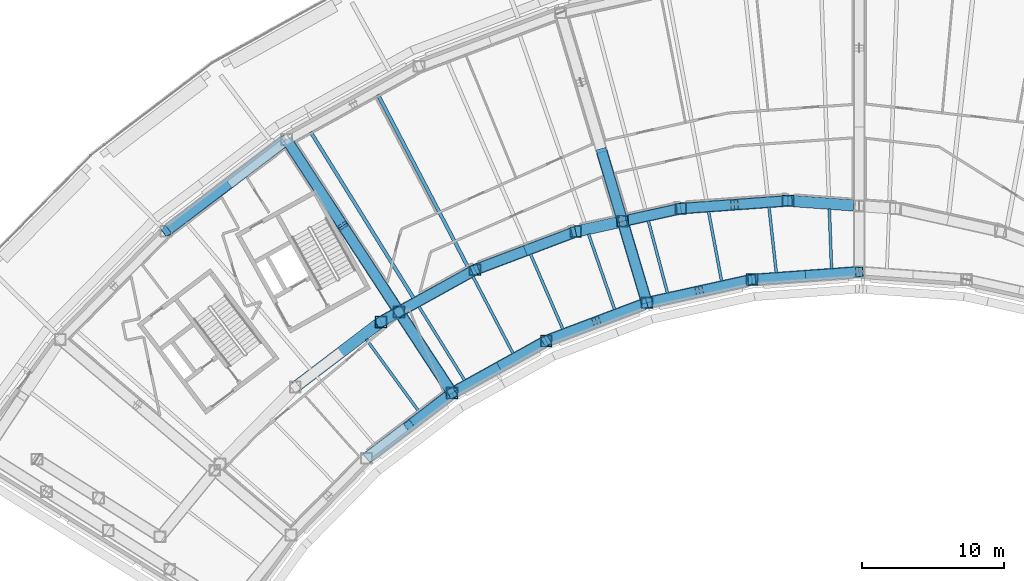
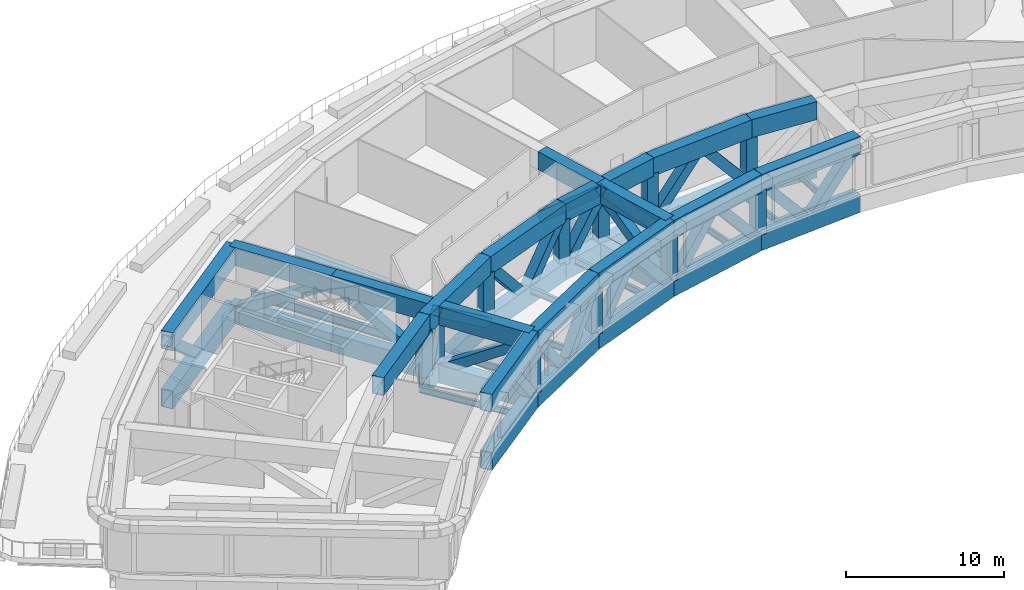
# One storey, part 2 of 24: 46 beams, 34 members.
"""IFC4 building model written with IfcOpenShell, lengths in metres."""

from ifc_helpers import new_model, si_unit, direction, frame, origin, origin_2d, place, context, subcontext, project, spatial, hollow_rectangle, i_section, extrude, material, material_profile, profile_set, type_object, element, save


model = new_model("IFC4")

# Units and contexts
model_context = context("Model", 3, precision=1e-05, world=origin(), true_north=direction((0.0, 1.0)))
body_context = subcontext(model_context, "Body", "Model", "MODEL_VIEW")
ifc_project = project(units=[si_unit("LENGTHUNIT", "METRE"), si_unit("AREAUNIT", "SQUARE_METRE"), si_unit("VOLUMEUNIT", "CUBIC_METRE"), si_unit("PLANEANGLEUNIT", "RADIAN"), si_unit("MASSUNIT", "GRAM", prefix="KILO")], contexts=[model_context])

# Site, building, storey
site_placement = place(None, origin())
site = spatial("IfcSite", under=ifc_project, at=site_placement, CompositionType="ELEMENT")
building_placement = place(site_placement, origin())
building = spatial("IfcBuilding", under=site, at=building_placement, Name="Tuul Gate Civic Tower", CompositionType="ELEMENT")
storey_placement = place(building_placement, frame((0.0, 0.0, 94.800048828125)))
storey = spatial("IfcBuildingStorey", under=building, at=storey_placement, Name="Plant and refuge floor 3", CompositionType="ELEMENT", Elevation=94.800048828125)

# Beams
ifc_material_1 = material(Name="Steel S355", Category="steel")
ifc_material_profile_1 = material_profile(ifc_material_1, i_section(OverallWidth=0.199951171875, OverallDepth=0.5, WebThickness=0.010009765625, FlangeThickness=0.01611328125, at=origin_2d()), Name="PG500x200x10x16")
ifc_profile_set_1 = profile_set([ifc_material_profile_1], Name="Steel S355")
beam_type_1 = type_object("IfcBeamType", Name="STR-FLOOR BEAM-PG500x200x10x16", PredefinedType="BEAM", material=ifc_profile_set_1)
beam_1_placement = place(storey_placement, frame((7.875732421875, -7.459716796875, -0.650146484375), z_axis=(-0.03697980305, 0.999316013164, 0.0), x_axis=(-0.999316013164, -0.03697980305, 0.0)))
element("IfcBeam", 1, at=beam_1_placement, inside=storey, type_object=beam_type_1, Name="Floor beam", PredefinedType="BEAM", context=body_context, shape_type="SweptSolid", body=[
    extrude(i_section(OverallWidth=0.199951171875, OverallDepth=0.5, WebThickness=0.010009765625, FlangeThickness=0.01611328125, at=origin_2d()), origin(), (0.0, 0.0, 1.0), 4.251708984375),
])
beam_2_placement = place(storey_placement, frame((3.979736328125, -7.7421875, -0.650146484375), z_axis=(-0.110798464164, 0.9938428952, 0.0), x_axis=(-0.9938428952, -0.110798464164, 0.0)))
element("IfcBeam", 2, at=beam_2_placement, inside=storey, type_object=beam_type_1, Name="Floor beam", PredefinedType="BEAM", context=body_context, shape_type="SweptSolid", body=[
    extrude(i_section(OverallWidth=0.199951171875, OverallDepth=0.5, WebThickness=0.010009765625, FlangeThickness=0.01611328125, at=origin_2d()), origin(), (0.0, 0.0, 1.0), 4.673583984375),
])
beam_3_placement = place(storey_placement, frame((0.118408203125, -8.3310546875, -0.650146484375), z_axis=(-0.184011950789, 0.982924006201, 0.0), x_axis=(-0.982924006201, -0.184011950789, 0.0)))
element("IfcBeam", 3, at=beam_3_placement, inside=storey, type_object=beam_type_1, Name="Floor beam", PredefinedType="BEAM", context=body_context, shape_type="SweptSolid", body=[
    extrude(i_section(OverallWidth=0.199951171875, OverallDepth=0.5, WebThickness=0.010009765625, FlangeThickness=0.01611328125, at=origin_2d()), origin(), (0.0, 0.0, 1.0), 5.009765625),
])
beam_4_placement = place(storey_placement, frame((-3.696533203125, -9.171630859375, -0.650146484375), z_axis=(-0.256156512833, 0.966635319515, 0.0), x_axis=(-0.966635319515, -0.256156512833, 0.0)))
element("IfcBeam", 4, at=beam_4_placement, inside=storey, type_object=beam_type_1, Name="Floor beam", PredefinedType="BEAM", context=body_context, shape_type="SweptSolid", body=[
    extrude(i_section(OverallWidth=0.199951171875, OverallDepth=0.5, WebThickness=0.010009765625, FlangeThickness=0.01611328125, at=origin_2d()), origin(), (0.0, 0.0, 1.0), 5.287841796875),
])
beam_5_placement = place(storey_placement, frame((-7.42529296875, -10.33544921875, -0.650146484375), z_axis=(-0.326943024847, 0.945044051092, 0.0), x_axis=(-0.945044051092, -0.326943024847, 0.0)))
element("IfcBeam", 5, at=beam_5_placement, inside=storey, type_object=beam_type_1, Name="Floor beam", PredefinedType="BEAM", context=body_context, shape_type="SweptSolid", body=[
    extrude(i_section(OverallWidth=0.199951171875, OverallDepth=0.5, WebThickness=0.010009765625, FlangeThickness=0.01611328125, at=origin_2d()), origin(), (0.0, 0.0, 1.0), 5.65576171875),
])
beam_6_placement = place(storey_placement, frame((-11.079345703125, -11.71728515625, -0.650146484375), z_axis=(-0.395943010068, 0.91827508557, 0.0), x_axis=(-0.91827508557, -0.395943010068, 0.0)))
element("IfcBeam", 6, at=beam_6_placement, inside=storey, type_object=beam_type_1, Name="Floor beam", PredefinedType="BEAM", context=body_context, shape_type="SweptSolid", body=[
    extrude(i_section(OverallWidth=0.199951171875, OverallDepth=0.5, WebThickness=0.010009765625, FlangeThickness=0.01611328125, at=origin_2d()), origin(), (0.0, 0.0, 1.0), 5.777587890625),
])
beam_7_placement = place(storey_placement, frame((-14.59033203125, -13.429931640625, -0.650146484375), z_axis=(-0.462734871086, 0.886496722544, 0.0), x_axis=(-0.886496722544, -0.462734871086, 0.0)))
element("IfcBeam", 7, at=beam_7_placement, inside=storey, type_object=beam_type_1, Name="Floor beam", PredefinedType="BEAM", context=body_context, shape_type="SweptSolid", body=[
    extrude(i_section(OverallWidth=0.199951171875, OverallDepth=0.5, WebThickness=0.010009765625, FlangeThickness=0.01611328125, at=origin_2d()), origin(), (0.0, 0.0, 1.0), 6.12646484375),
])
beam_8_placement = place(storey_placement, frame((-18.00732421875, -15.323974609375, -0.650146484375), z_axis=(-0.527039743214, 0.849840637457, 0.0), x_axis=(-0.849840637457, -0.527039743214, 0.0)))
element("IfcBeam", 8, at=beam_8_placement, inside=storey, type_object=beam_type_1, Name="Floor beam", PredefinedType="BEAM", context=body_context, shape_type="SweptSolid", body=[
    extrude(i_section(OverallWidth=0.199951171875, OverallDepth=0.5, WebThickness=0.010009765625, FlangeThickness=0.01611328125, at=origin_2d()), origin(), (0.0, 0.0, 1.0), 6.13232421875),
])
beam_9_placement = place(storey_placement, frame((-21.220458984375, -17.54638671875, -0.650146484375), z_axis=(-0.588423640365, 0.808552793242, 0.0), x_axis=(-0.808552793242, -0.588423640365, 0.0)))
element("IfcBeam", 9, at=beam_9_placement, inside=storey, type_object=beam_type_1, Name="Floor beam", PredefinedType="BEAM", context=body_context, shape_type="SweptSolid", body=[
    extrude(i_section(OverallWidth=0.199951171875, OverallDepth=0.5, WebThickness=0.010009765625, FlangeThickness=0.01611328125, at=origin_2d()), origin(), (0.0, 0.0, 1.0), 6.337158203125),
])
ifc_material_2 = material(Name="Steel S355", Category="steel")
ifc_material_profile_2 = material_profile(ifc_material_2, i_section(OverallWidth=0.25, OverallDepth=0.64990234375, WebThickness=0.011962890625, FlangeThickness=0.02001953125, at=origin_2d()), Name="PG650x250x12x20")
ifc_profile_set_2 = profile_set([ifc_material_profile_2], Name="Steel S355")
beam_type_2 = type_object("IfcBeamType", Name="STR-FLOOR BEAM-PG650x250x12x20", PredefinedType="BEAM", material=ifc_profile_set_2)
beam_10_placement = place(storey_placement, frame((-17.749267578125, -7.378173828125, -0.72509765625), z_axis=(-0.462736746244, 0.886495743743, 0.0), x_axis=(-0.886495743743, -0.462736746244, 0.0)))
element("IfcBeam", 10, at=beam_10_placement, inside=storey, type_object=beam_type_2, Name="Floor beam", PredefinedType="BEAM", context=body_context, shape_type="SweptSolid", body=[
    extrude(i_section(OverallWidth=0.25, OverallDepth=0.64990234375, WebThickness=0.011962890625, FlangeThickness=0.02001953125, at=origin_2d()), origin(), (0.0, 0.0, 1.0), 13.77978515625),
])
beam_11_placement = place(storey_placement, frame((-21.608642578125, -9.516845703125, -0.72509765625), z_axis=(-0.52701382868, 0.849856708146, 0.0), x_axis=(-0.849856708146, -0.52701382868, 0.0)))
element("IfcBeam", 11, at=beam_11_placement, inside=storey, type_object=beam_type_2, Name="Floor beam", PredefinedType="BEAM", context=body_context, shape_type="SweptSolid", body=[
    extrude(i_section(OverallWidth=0.25, OverallDepth=0.64990234375, WebThickness=0.011962890625, FlangeThickness=0.02001953125, at=origin_2d()), origin(), (0.0, 0.0, 1.0), 13.7919921875),
])
ifc_material_3 = material(Name="Steel S460", Category="steel")
ifc_material_profile_3 = material_profile(ifc_material_3, hollow_rectangle(XDim=0.800048828125, YDim=1.39990234375, WallThickness=0.0400390625, at=origin_2d()), Name="BOX1400x800x40")
ifc_profile_set_3 = profile_set([ifc_material_profile_3], Name="Steel S460")
beam_type_3 = type_object("IfcBeamType", Name="STR-TRANSFER TRUSS CHORD-BOX1400x800x40", PredefinedType="BEAM", material=ifc_profile_set_3)
beam_12_placement = place(storey_placement, frame((-30.573974609375, 1.6640625, -1.10009765625), z_axis=(0.54670899851, -0.837322680302, 0.0), x_axis=(0.837322680302, 0.54670899851, 0.0)))
element("IfcBeam", 12, at=beam_12_placement, inside=storey, type_object=beam_type_3, Name="Radial truss bottom chord", PredefinedType="BEAM", context=body_context, shape_type="SweptSolid", body=[
    extrude(hollow_rectangle(XDim=0.800048828125, YDim=1.39990234375, WallThickness=0.0400390625, at=origin_2d()), origin(), (0.0, 0.0, 1.0), 7.256591796875),
])
beam_13_placement = place(storey_placement, frame((-26.606689453125, -4.412109375, -1.10009765625), z_axis=(0.546728273249, -0.837310095024, 0.0), x_axis=(0.837310095024, 0.546728273249, 0.0)))
element("IfcBeam", 13, at=beam_13_placement, inside=storey, type_object=beam_type_3, Name="Radial truss bottom chord", PredefinedType="BEAM", context=body_context, shape_type="SweptSolid", body=[
    extrude(hollow_rectangle(XDim=0.800048828125, YDim=1.39990234375, WallThickness=0.0400390625, at=origin_2d()), origin(), (0.0, 0.0, 1.0), 6.85595703125),
])
beam_14_placement = place(storey_placement, frame((-22.419921875, -10.823974609375, -1.10009765625), z_axis=(0.546716245411, -0.837317948573, 0.0), x_axis=(0.837317948573, 0.546716245411, 0.0)))
element("IfcBeam", 14, at=beam_14_placement, inside=storey, type_object=beam_type_3, Name="Radial truss bottom chord", PredefinedType="BEAM", context=body_context, shape_type="SweptSolid", body=[
    extrude(hollow_rectangle(XDim=0.800048828125, YDim=1.39990234375, WallThickness=0.0400390625, at=origin_2d()), origin(), (0.0, 0.0, 1.0), 6.442138671875),
])
beam_15_placement = place(storey_placement, frame((-30.573974609375, 1.6640625, 3.39990234375), z_axis=(0.54670899851, -0.837322680302, 0.0), x_axis=(0.837322680302, 0.54670899851, 0.0)))
element("IfcBeam", 15, at=beam_15_placement, inside=storey, type_object=beam_type_3, Name="Radial truss top chord", PredefinedType="BEAM", context=body_context, shape_type="SweptSolid", body=[
    extrude(hollow_rectangle(XDim=0.800048828125, YDim=1.39990234375, WallThickness=0.0400390625, at=origin_2d()), origin(), (0.0, 0.0, 1.0), 7.256591796875),
])
beam_16_placement = place(storey_placement, frame((-26.606689453125, -4.412109375, 3.39990234375), z_axis=(0.546728273249, -0.837310095024, 0.0), x_axis=(0.837310095024, 0.546728273249, 0.0)))
element("IfcBeam", 16, at=beam_16_placement, inside=storey, type_object=beam_type_3, Name="Radial truss top chord", PredefinedType="BEAM", context=body_context, shape_type="SweptSolid", body=[
    extrude(hollow_rectangle(XDim=0.800048828125, YDim=1.39990234375, WallThickness=0.0400390625, at=origin_2d()), origin(), (0.0, 0.0, 1.0), 6.85595703125),
])
beam_17_placement = place(storey_placement, frame((-22.419921875, -10.823974609375, 3.39990234375), z_axis=(0.546716245411, -0.837317948573, 0.0), x_axis=(0.837317948573, 0.546716245411, 0.0)))
element("IfcBeam", 17, at=beam_17_placement, inside=storey, type_object=beam_type_3, Name="Radial truss top chord", PredefinedType="BEAM", context=body_context, shape_type="SweptSolid", body=[
    extrude(hollow_rectangle(XDim=0.800048828125, YDim=1.39990234375, WallThickness=0.0400390625, at=origin_2d()), origin(), (0.0, 0.0, 1.0), 6.442138671875),
])
beam_18_placement = place(storey_placement, frame((-8.328125, 0.80419921875, -1.10009765625), z_axis=(0.285255681099, -0.958451457509, 0.0), x_axis=(0.958451457509, 0.285255681099, 0.0)))
element("IfcBeam", 18, at=beam_18_placement, inside=storey, type_object=beam_type_3, Name="Radial truss bottom chord", PredefinedType="BEAM", context=body_context, shape_type="SweptSolid", body=[
    extrude(hollow_rectangle(XDim=0.800048828125, YDim=1.39990234375, WallThickness=0.0400390625, at=origin_2d()), origin(), (0.0, 0.0, 1.0), 5.118896484375),
])
beam_19_placement = place(storey_placement, frame((-6.867919921875, -4.10205078125, -1.10009765625), z_axis=(0.285196627476, -0.958469031151, 0.0), x_axis=(0.958469031151, 0.285196627476, 0.0)))
element("IfcBeam", 19, at=beam_19_placement, inside=storey, type_object=beam_type_3, Name="Radial truss bottom chord", PredefinedType="BEAM", context=body_context, shape_type="SweptSolid", body=[
    extrude(hollow_rectangle(XDim=0.800048828125, YDim=1.39990234375, WallThickness=0.0400390625, at=origin_2d()), origin(), (0.0, 0.0, 1.0), 5.999267578125),
])
beam_20_placement = place(storey_placement, frame((-8.328125, 0.80419921875, 3.39990234375), z_axis=(0.285255681099, -0.958451457509, 0.0), x_axis=(0.958451457509, 0.285255681099, 0.0)))
element("IfcBeam", 20, at=beam_20_placement, inside=storey, type_object=beam_type_3, Name="Radial truss top chord", PredefinedType="BEAM", context=body_context, shape_type="SweptSolid", body=[
    extrude(hollow_rectangle(XDim=0.800048828125, YDim=1.39990234375, WallThickness=0.0400390625, at=origin_2d()), origin(), (0.0, 0.0, 1.0), 5.118896484375),
])
beam_21_placement = place(storey_placement, frame((-6.867919921875, -4.10205078125, 3.39990234375), z_axis=(0.285196627476, -0.958469031151, 0.0), x_axis=(0.958469031151, 0.285196627476, 0.0)))
element("IfcBeam", 21, at=beam_21_placement, inside=storey, type_object=beam_type_3, Name="Radial truss top chord", PredefinedType="BEAM", context=body_context, shape_type="SweptSolid", body=[
    extrude(hollow_rectangle(XDim=0.800048828125, YDim=1.39990234375, WallThickness=0.0400390625, at=origin_2d()), origin(), (0.0, 0.0, 1.0), 5.999267578125),
])
for number, where, z_axis, x_axis, name in (
    (22, (-30.573974609375, 1.6640625, -1.10009765625), (-0.795632710164, -0.605779324933, 0.0), (0.605779324933, -0.795632710164, 0.0), "Belt truss bottom chord"),
    (23, (-30.573974609375, 1.6640625, 3.39990234375), (-0.795632710164, -0.605779324933, 0.0), (0.605779324933, -0.795632710164, 0.0), "Belt truss top chord"),
):
    element("IfcBeam", number, at=place(storey_placement, frame(where, z_axis=z_axis, x_axis=x_axis)), inside=storey, type_object=beam_type_3, Name=name, PredefinedType="BEAM", context=body_context, shape_type="SweptSolid", body=[
        extrude(hollow_rectangle(XDim=0.800048828125, YDim=1.39990234375, WallThickness=0.0400390625, at=origin_2d()), origin(), (0.0, 0.0, 1.0), 10.67724609375),
    ])
for number, where, z_axis, x_axis, name in (
    (24, (-18.89794921875, -16.218017578125, -1.10009765625), (0.874599842838, 0.484845454663, 0.0), (-0.484845454663, 0.874599842838, 0.0), "Belt truss bottom chord"),
    (25, (-18.89794921875, -16.218017578125, 3.39990234375), (0.874599842838, 0.484845454663, 0.0), (-0.484845454663, 0.874599842838, 0.0), "Belt truss top chord"),
    (26, (-17.278076171875, -7.51708984375, -1.10009765625), (0.935323649079, 0.353793260922, 0.0), (-0.353793260922, 0.935323649079, 0.0), "Belt truss bottom chord"),
    (27, (-17.278076171875, -7.51708984375, 3.39990234375), (0.935323649079, 0.353793260922, 0.0), (-0.353793260922, 0.935323649079, 0.0), "Belt truss top chord"),
    (28, (-5.156982421875, -9.85205078125, -1.10009765625), (0.976563150076, 0.215231070978, 0.0), (-0.215231070978, 0.976563150076, 0.0), "Belt truss bottom chord"),
    (29, (-5.156982421875, -9.85205078125, 3.39990234375), (0.976563150076, 0.215231070978, 0.0), (-0.215231070978, 0.976563150076, 0.0), "Belt truss top chord"),
):
    element("IfcBeam", number, at=place(storey_placement, frame(where, z_axis=z_axis, x_axis=x_axis)), inside=storey, type_object=beam_type_3, Name=name, PredefinedType="BEAM", context=body_context, shape_type="SweptSolid", body=[
        extrude(hollow_rectangle(XDim=0.800048828125, YDim=1.39990234375, WallThickness=0.0400390625, at=origin_2d()), origin(), (0.0, 0.0, 1.0), 7.592041015625),
    ])
for number, where, z_axis, x_axis, name in (
    (30, (2.257080078125, -8.218017578125, -1.10009765625), (0.997381233603, 0.072323404623, 0.0), (-0.072323404623, 0.997381233603, 0.0), "Belt truss bottom chord"),
    (31, (2.257080078125, -8.218017578125, 3.39990234375), (0.997381233603, 0.072323404623, 0.0), (-0.072323404623, 0.997381233603, 0.0), "Belt truss top chord"),
):
    element("IfcBeam", number, at=place(storey_placement, frame(where, z_axis=z_axis, x_axis=x_axis)), inside=storey, type_object=beam_type_3, Name=name, PredefinedType="BEAM", context=body_context, shape_type="SweptSolid", body=[
        extrude(hollow_rectangle(XDim=0.800048828125, YDim=1.39990234375, WallThickness=0.0400390625, at=origin_2d()), origin(), (0.0, 0.0, 1.0), 7.591796875),
    ])
for number, where, z_axis, x_axis, name in (
    (32, (4.80810546875, -2.64892578125, -1.10009765625), (0.997379177633, -0.072351752042, 0.0), (0.072351752042, 0.997379177633, 0.0), "Belt truss bottom chord"),
    (33, (4.80810546875, -2.64892578125, 3.39990234375), (0.997379177633, -0.072351752042, 0.0), (0.072351752042, 0.997379177633, 0.0), "Belt truss top chord"),
):
    element("IfcBeam", number, at=place(storey_placement, frame(where, z_axis=z_axis, x_axis=x_axis)), inside=storey, type_object=beam_type_3, Name=name, PredefinedType="BEAM", context=body_context, shape_type="SweptSolid", body=[
        extrude(hollow_rectangle(XDim=0.800048828125, YDim=1.39990234375, WallThickness=0.0400390625, at=origin_2d()), origin(), (0.0, 0.0, 1.0), 4.633056640625),
    ])
for number, where, z_axis, x_axis, name in (
    (34, (-2.763916015625, -3.197998046875, -1.10009765625), (0.997381233603, 0.072323404623, 0.0), (-0.072323404623, 0.997381233603, 0.0), "Belt truss bottom chord"),
    (35, (-2.763916015625, -3.197998046875, 3.39990234375), (0.997381233603, 0.072323404623, 0.0), (-0.072323404623, 0.997381233603, 0.0), "Belt truss top chord"),
    (36, (-12.258056640625, -12.537109375, -1.10009765625), (0.935366208927, 0.353680724946, 0.0), (-0.353680724946, 0.935366208927, 0.0), "Belt truss bottom chord"),
    (37, (-12.258056640625, -12.537109375, 3.39990234375), (0.935366208927, 0.353680724946, 0.0), (-0.353680724946, 0.935366208927, 0.0), "Belt truss top chord"),
):
    element("IfcBeam", number, at=place(storey_placement, frame(where, z_axis=z_axis, x_axis=x_axis)), inside=storey, type_object=beam_type_3, Name=name, PredefinedType="BEAM", context=body_context, shape_type="SweptSolid", body=[
        extrude(hollow_rectangle(XDim=0.800048828125, YDim=1.39990234375, WallThickness=0.0400390625, at=origin_2d()), origin(), (0.0, 0.0, 1.0), 7.591796875),
    ])
for number, where, z_axis, x_axis, name in (
    (38, (-24.93798828125, -20.81689453125, -1.10009765625), (0.795625835802, 0.605788353638, 0.0), (-0.605788353638, 0.795625835802, 0.0), "Belt truss bottom chord"),
    (39, (-24.93798828125, -20.81689453125, 3.39990234375), (0.795625835802, 0.605788353638, 0.0), (-0.605788353638, 0.795625835802, 0.0), "Belt truss top chord"),
    (40, (-29.9580078125, -15.7958984375, 3.39990234375), (0.795625835802, 0.605788353638, 0.0), (-0.605788353638, 0.795625835802, 0.0), "Belt truss top chord"),
    (41, (-23.91796875, -11.197021484375, -1.10009765625), (0.874654386478, 0.484747051785, 0.0), (-0.484747051785, 0.874654386478, 0.0), "Belt truss bottom chord"),
    (42, (-23.91796875, -11.197021484375, 3.39990234375), (0.874654386478, 0.484747051785, 0.0), (-0.484747051785, 0.874654386478, 0.0), "Belt truss top chord"),
):
    element("IfcBeam", number, at=place(storey_placement, frame(where, z_axis=z_axis, x_axis=x_axis)), inside=storey, type_object=beam_type_3, Name=name, PredefinedType="BEAM", context=body_context, shape_type="SweptSolid", body=[
        extrude(hollow_rectangle(XDim=0.800048828125, YDim=1.39990234375, WallThickness=0.0400390625, at=origin_2d()), origin(), (0.0, 0.0, 1.0), 7.591552734375),
    ])
beam_22_placement = place(storey_placement, frame((-10.177001953125, -4.8310546875, -1.10009765625), z_axis=(0.976572037589, 0.215190741901, 0.0), x_axis=(-0.215190741901, 0.976572037589, 0.0)))
element("IfcBeam", 43, at=beam_22_placement, inside=storey, type_object=beam_type_3, Name="Belt truss bottom chord", PredefinedType="BEAM", context=body_context, shape_type="SweptSolid", body=[
    extrude(hollow_rectangle(XDim=0.800048828125, YDim=1.39990234375, WallThickness=0.0400390625, at=origin_2d()), origin(), (0.0, 0.0, 1.0), 2.9873046875),
])
beam_23_placement = place(storey_placement, frame((-6.476318359375, -4.015869140625, -1.10009765625), z_axis=(0.976581352865, 0.215148463245, 0.0), x_axis=(-0.215148463245, 0.976581352865, 0.0)))
element("IfcBeam", 44, at=beam_23_placement, inside=storey, type_object=beam_type_3, Name="Belt truss bottom chord", PredefinedType="BEAM", context=body_context, shape_type="SweptSolid", body=[
    extrude(hollow_rectangle(XDim=0.800048828125, YDim=1.39990234375, WallThickness=0.0400390625, at=origin_2d()), origin(), (0.0, 0.0, 1.0), 3.801513671875),
])
beam_24_placement = place(storey_placement, frame((-10.177001953125, -4.8310546875, 3.39990234375), z_axis=(0.976572037589, 0.215190741901, 0.0), x_axis=(-0.215190741901, 0.976572037589, 0.0)))
element("IfcBeam", 45, at=beam_24_placement, inside=storey, type_object=beam_type_3, Name="Belt truss top chord", PredefinedType="BEAM", context=body_context, shape_type="SweptSolid", body=[
    extrude(hollow_rectangle(XDim=0.800048828125, YDim=1.39990234375, WallThickness=0.0400390625, at=origin_2d()), origin(), (0.0, 0.0, 1.0), 2.9873046875),
])
beam_25_placement = place(storey_placement, frame((-6.476318359375, -4.015869140625, 3.39990234375), z_axis=(0.976581352865, 0.215148463245, 0.0), x_axis=(-0.215148463245, 0.976581352865, 0.0)))
element("IfcBeam", 46, at=beam_25_placement, inside=storey, type_object=beam_type_3, Name="Belt truss top chord", PredefinedType="BEAM", context=body_context, shape_type="SweptSolid", body=[
    extrude(hollow_rectangle(XDim=0.800048828125, YDim=1.39990234375, WallThickness=0.0400390625, at=origin_2d()), origin(), (0.0, 0.0, 1.0), 3.801513671875),
])

# Members
ifc_material_4 = material(Name="Steel S355", Category="steel")
ifc_material_profile_4 = material_profile(ifc_material_4, hollow_rectangle(XDim=0.699951171875, YDim=0.699951171875, WallThickness=0.031982421875, at=origin_2d()), Name="BOX700x700x32")
ifc_profile_set_4 = profile_set([ifc_material_profile_4], Name="Steel S355")
member_type_1 = type_object("IfcMemberType", Name="STR-TRANSFER TRUSS DIAGONAL-BOX700x700x32", PredefinedType="BRACE", material=ifc_profile_set_4)
for number, where, z_axis, x_axis, name in (
    (47, (-30.576416015625, 1.66748046875, -1.102783203125), (0.464644800343, -0.711589089744, 0.52701629659), (0.837306294512, 0.54673409366, 0.0), "Radial truss web"),
    (48, (-22.636962890625, -10.491943359375, -1.102783203125), (-0.464622407124, 0.711598532074, 0.527023289758), (-0.83732167775, -0.546710533985, 0.0), "Radial truss web"),
):
    element("IfcMember", number, at=place(storey_placement, frame(where, z_axis=z_axis, x_axis=x_axis)), inside=storey, type_object=member_type_1, Name=name, PredefinedType="BRACE", context=body_context, shape_type="SweptSolid", body=[
        extrude(hollow_rectangle(XDim=0.699951171875, YDim=0.699951171875, WallThickness=0.031982421875, at=origin_2d()), origin(), (0.0, 0.0, 1.0), 8.548828125),
    ])
member_1_placement = place(storey_placement, frame((-22.6416015625, -10.48486328125, -1.102783203125), z_axis=(0.456817656139, -0.699592287447, 0.549443591631), x_axis=(0.837302797803, 0.546739448725, 0.0)))
element("IfcMember", 49, at=member_1_placement, inside=storey, type_object=member_type_1, Name="Radial truss web", PredefinedType="BRACE", context=body_context, shape_type="SweptSolid", body=[
    extrude(hollow_rectangle(XDim=0.699951171875, YDim=0.699951171875, WallThickness=0.031982421875, at=origin_2d()), origin(), (0.0, 0.0, 1.0), 8.199951171875),
])
member_2_placement = place(storey_placement, frame((-8.3291015625, 0.807861328125, -1.103271484375), z_axis=(0.214212956963, -0.719861407886, 0.660236595855), x_axis=(0.958463547896, 0.285215054574, 0.0)))
element("IfcMember", 50, at=member_2_placement, inside=storey, type_object=member_type_1, Name="Radial truss web", PredefinedType="BRACE", context=body_context, shape_type="SweptSolid", body=[
    extrude(hollow_rectangle(XDim=0.699951171875, YDim=0.699951171875, WallThickness=0.031982421875, at=origin_2d()), origin(), (0.0, 0.0, 1.0), 6.82568359375),
])
member_3_placement = place(storey_placement, frame((-5.15576171875, -9.855712890625, -1.10302734375), z_axis=(-0.228170743295, 0.766735628259, 0.600045488494), x_axis=(-0.958460411733, -0.285225593417, 0.0)))
element("IfcMember", 51, at=member_3_placement, inside=storey, type_object=member_type_1, Name="Radial truss web", PredefinedType="BRACE", context=body_context, shape_type="SweptSolid", body=[
    extrude(hollow_rectangle(XDim=0.699951171875, YDim=0.699951171875, WallThickness=0.031982421875, at=origin_2d()), origin(), (0.0, 0.0, 1.0), 7.50927734375),
])
member_4_placement = place(storey_placement, frame((-34.818359375, -1.567626953125, -1.103271484375), z_axis=(-0.608346511385, -0.46319949607, 0.644484870983), x_axis=(0.605792780805, -0.795622464945, 0.0)))
element("IfcMember", 52, at=member_4_placement, inside=storey, type_object=member_type_1, Name="Belt truss web", PredefinedType="BRACE", context=body_context, shape_type="SweptSolid", body=[
    extrude(hollow_rectangle(XDim=0.699951171875, YDim=0.699951171875, WallThickness=0.031982421875, at=origin_2d()), origin(), (0.0, 0.0, 1.0), 6.9921875),
])
for number, where, z_axis, x_axis, name in (
    (53, (-15.5751953125, -14.3759765625, -1.103759765625), (-0.563943712005, -0.312607470955, 0.764358593066), (0.484819546412, -0.874614204903, 0.0), "Belt truss web"),
    (54, (-15.580810546875, -14.379150390625, -1.103759765625), (0.563936413224, 0.31264482401, 0.764348700437), (-0.484868658503, 0.874586979095, 0.0), "Belt truss web"),
    (55, (-13.724365234375, -6.1728515625, -1.103759765625), (-0.603102327932, -0.228109131446, 0.764351886368), (0.353767623414, -0.935333346259, 0.0), "Belt truss web"),
    (56, (-13.73046875, -6.175048828125, -1.103759765625), (0.60307598603, 0.228114826871, 0.764370970692), (-0.353788869317, 0.935325310225, 0.0), "Belt truss web"),
    (57, (-5.16015625, -9.852783203125, -1.103759765625), (0.629684186818, 0.138770637358, 0.764356288048), (-0.215216968894, 0.976566258018, 0.0), "Belt truss web"),
    (58, (2.26025390625, -8.21728515625, -1.103759765625), (-0.629684186818, -0.138770637358, 0.764356288048), (0.215216968894, -0.976566258018, 0.0), "Belt truss web"),
):
    element("IfcMember", number, at=place(storey_placement, frame(where, z_axis=z_axis, x_axis=x_axis)), inside=storey, type_object=member_type_1, Name=name, PredefinedType="BRACE", context=body_context, shape_type="SweptSolid", body=[
        extrude(hollow_rectangle(XDim=0.699951171875, YDim=0.699951171875, WallThickness=0.031982421875, at=origin_2d()), origin(), (0.0, 0.0, 1.0), 5.897216796875),
    ])
member_5_placement = place(storey_placement, frame((6.046142578125, -7.943359375, -1.103759765625), z_axis=(-0.643077141567, -0.046617193163, 0.764381205483), x_axis=(0.072301106637, -0.997382850253, 0.0)))
element("IfcMember", 59, at=member_5_placement, inside=storey, type_object=member_type_1, Name="Belt truss web", PredefinedType="BRACE", context=body_context, shape_type="SweptSolid", body=[
    extrude(hollow_rectangle(XDim=0.699951171875, YDim=0.699951171875, WallThickness=0.031982421875, at=origin_2d()), origin(), (0.0, 0.0, 1.0), 5.89697265625),
])
for number, where, z_axis, x_axis, name in (
    (60, (6.039794921875, -7.94384765625, -1.103759765625), (0.643100178458, 0.046657261563, 0.764359379095), (-0.072360347011, 0.997378554101, 0.0), "Belt truss web"),
    (61, (-2.767333984375, -3.1982421875, -1.103759765625), (0.643101420115, 0.046615952044, 0.764360854872), (-0.072296476587, 0.997383185878, 0.0), "Belt truss web"),
    (62, (4.811279296875, -2.648681640625, -1.103759765625), (-0.643100178458, -0.046657261563, 0.764359379095), (0.072360347011, -0.997378554101, 0.0), "Belt truss web"),
):
    element("IfcMember", number, at=place(storey_placement, frame(where, z_axis=z_axis, x_axis=x_axis)), inside=storey, type_object=member_type_1, Name=name, PredefinedType="BRACE", context=body_context, shape_type="SweptSolid", body=[
        extrude(hollow_rectangle(XDim=0.699951171875, YDim=0.699951171875, WallThickness=0.031982421875, at=origin_2d()), origin(), (0.0, 0.0, 1.0), 5.897216796875),
    ])
for number, where, z_axis, x_axis, name in (
    (63, (-12.260986328125, -12.5380859375, -1.103759765625), (0.60308737517, 0.228036332974, 0.764385405901), (-0.353676518165, 0.935367799584, 0.0), "Belt truss web"),
    (64, (-5.154052734375, -9.850830078125, -1.103759765625), (-0.60308737517, -0.228036332974, 0.764385405901), (0.353676518165, -0.935367799584, 0.0), "Belt truss web"),
    (65, (-18.8955078125, -16.216064453125, -1.103759765625), (-0.512989911448, -0.390610912316, 0.764371942141), (0.605809108227, -0.795610032861, 0.0), "Belt truss web"),
):
    element("IfcMember", number, at=place(storey_placement, frame(where, z_axis=z_axis, x_axis=x_axis)), inside=storey, type_object=member_type_1, Name=name, PredefinedType="BRACE", context=body_context, shape_type="SweptSolid", body=[
        extrude(hollow_rectangle(XDim=0.699951171875, YDim=0.699951171875, WallThickness=0.031982421875, at=origin_2d()), origin(), (0.0, 0.0, 1.0), 5.89697265625),
    ])
member_6_placement = place(storey_placement, frame((-23.91943359375, -11.19775390625, -1.104736328125), z_axis=(0.270268396779, 0.149782961751, 0.951062594192), x_axis=(-0.48473718986, 0.874659852038, 0.0)))
element("IfcMember", 66, at=member_6_placement, inside=storey, type_object=member_type_1, Name="Belt truss web", PredefinedType="BRACE", context=body_context, shape_type="SweptSolid", body=[
    extrude(hollow_rectangle(XDim=0.699951171875, YDim=0.699951171875, WallThickness=0.031982421875, at=origin_2d()), origin(), (0.0, 0.0, 1.0), 4.741455078125),
])
member_7_placement = place(storey_placement, frame((-17.2744140625, -7.51513671875, -1.10302734375), z_axis=(-0.705065909958, -0.390737786109, 0.5917820926), x_axis=(0.484727409505, -0.874665272247, 0.0)))
element("IfcMember", 67, at=member_7_placement, inside=storey, type_object=member_type_1, Name="Belt truss web", PredefinedType="BRACE", context=body_context, shape_type="SweptSolid", body=[
    extrude(hollow_rectangle(XDim=0.699951171875, YDim=0.699951171875, WallThickness=0.031982421875, at=origin_2d()), origin(), (0.0, 0.0, 1.0), 7.614013671875),
])
member_8_placement = place(storey_placement, frame((-10.179931640625, -4.83154296875, -1.10400390625), z_axis=(0.587432120909, 0.12940119853, 0.798860959831), x_axis=(-0.215125213279, 0.976586474723, 0.0)))
element("IfcMember", 68, at=member_8_placement, inside=storey, type_object=member_type_1, Name="Belt truss web", PredefinedType="BRACE", context=body_context, shape_type="SweptSolid", body=[
    extrude(hollow_rectangle(XDim=0.699951171875, YDim=0.699951171875, WallThickness=0.031982421875, at=origin_2d()), origin(), (0.0, 0.0, 1.0), 5.64306640625),
])
member_9_placement = place(storey_placement, frame((-2.7607421875, -3.197265625, -1.103759765625), z_axis=(-0.666537928912, -0.146830740532, 0.730867924427), x_axis=(0.215130652191, -0.976585276608, 0.0)))
element("IfcMember", 69, at=member_9_placement, inside=storey, type_object=member_type_1, Name="Belt truss web", PredefinedType="BRACE", context=body_context, shape_type="SweptSolid", body=[
    extrude(hollow_rectangle(XDim=0.699951171875, YDim=0.699951171875, WallThickness=0.031982421875, at=origin_2d()), origin(), (0.0, 0.0, 1.0), 6.1669921875),
])
ifc_material_5 = material(Name="Steel S355", Category="steel")
ifc_material_profile_5 = material_profile(ifc_material_5, hollow_rectangle(XDim=0.800048828125, YDim=0.800048828125, WallThickness=0.034912109375, at=origin_2d()), Name="BOX800x800x35")
ifc_profile_set_5 = profile_set([ifc_material_profile_5], Name="Steel S355")
member_type_2 = type_object("IfcMemberType", Name="STR-TRUSS POST-BOX800x800x35", PredefinedType="POST", material=ifc_profile_set_5)
for number, where, z_axis, x_axis, name in (
    (70, (-22.63916015625, -10.48828125, -0.594970703125), (0.0, 0.0, 1.0), (1.0, 0.0, 0.0), "Radial truss post"),
    (71, (-18.89794921875, -16.218017578125, -0.594970703125), (0.0, 0.0, 1.0), (1.0, 0.0, 0.0), "Radial truss post"),
    (72, (-6.867919921875, -4.10205078125, -0.594970703125), (0.0, 0.0, 1.0), (1.0, 0.0, 0.0), "Radial truss post"),
    (73, (-5.156982421875, -9.85205078125, -0.594970703125), (0.0, 0.0, 1.0), (1.0, 0.0, 0.0), "Radial truss post"),
    (74, (-12.258056640625, -12.537109375, -0.594970703125), (0.0, 0.0, 1.0), (1.0, 0.0, 0.0), "Belt truss post"),
    (75, (-17.278076171875, -7.51708984375, -0.594970703125), (0.0, 0.0, 1.0), (1.0, 0.0, 0.0), "Belt truss post"),
    (76, (-10.177001953125, -4.8310546875, -0.594970703125), (0.0, 0.0, 1.0), (1.0, 0.0, 0.0), "Belt truss post"),
    (77, (2.257080078125, -8.218017578125, -0.594970703125), (0.0, 0.0, 1.0), (1.0, 0.0, 0.0), "Belt truss post"),
    (78, (4.80810546875, -2.64892578125, -0.594970703125), (0.0, 0.0, 1.0), (1.0, 0.0, 0.0), "Belt truss post"),
    (79, (-2.763916015625, -3.197998046875, -0.594970703125), (0.0, 0.0, 1.0), (1.0, 0.0, 0.0), "Belt truss post"),
    (80, (-23.91796875, -11.197021484375, -0.594970703125), (0.0, 0.0, 1.0), (1.0, 0.0, 0.0), "Belt truss post"),
):
    element("IfcMember", number, at=place(storey_placement, frame(where, z_axis=z_axis, x_axis=x_axis)), inside=storey, type_object=member_type_2, Name=name, PredefinedType="POST", context=body_context, shape_type="SweptSolid", body=[
        extrude(hollow_rectangle(XDim=0.800048828125, YDim=0.800048828125, WallThickness=0.034912109375, at=origin_2d()), origin(), (0.0, 0.0, 1.0), 3.489990234375),
    ])

save(model, "model.ifc")
